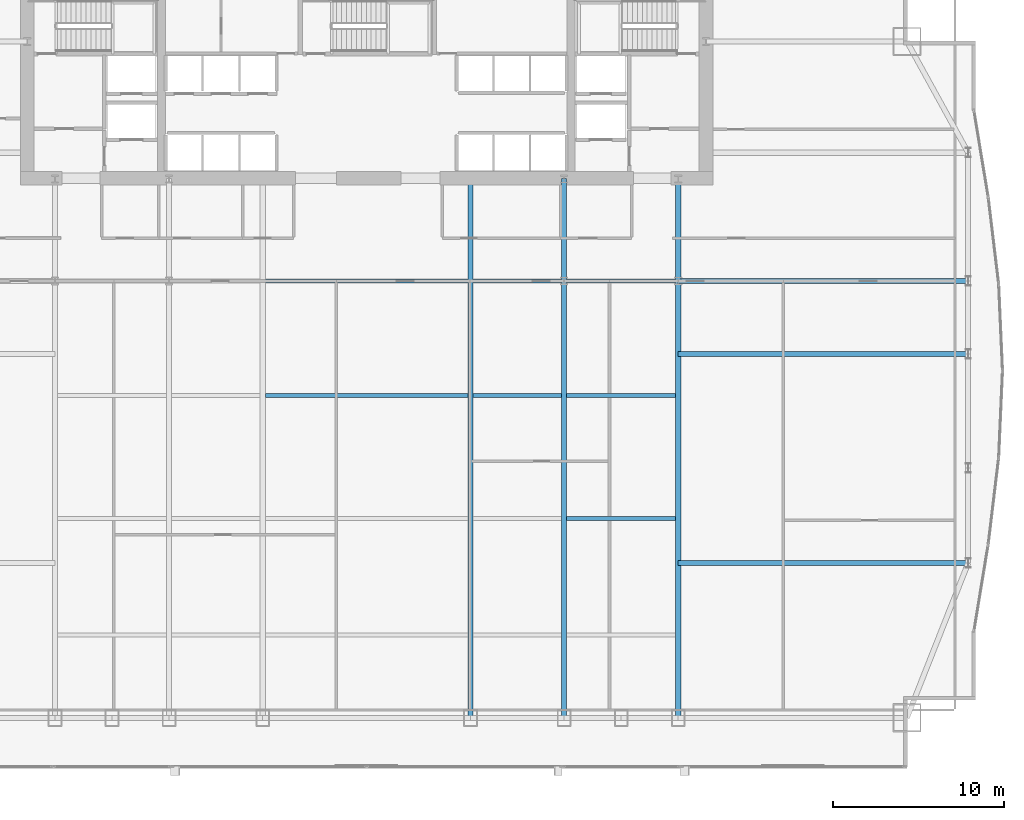
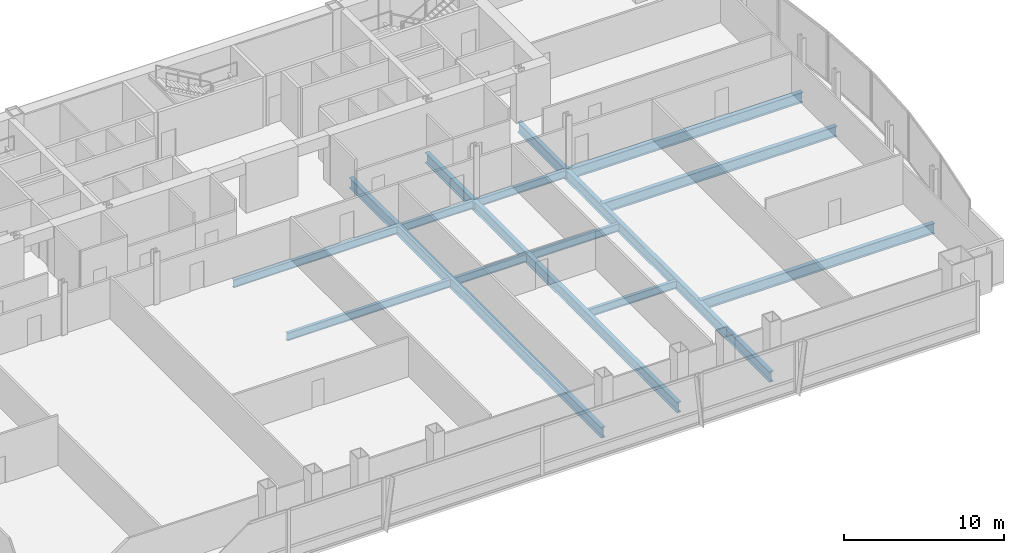
# One storey, part 15 of 32: 15 beams.
"""IFC4 building model written with IfcOpenShell, lengths in metres."""

from ifc_helpers import new_model, si_unit, direction, frame, origin, origin_2d, place, context, subcontext, project, spatial, i_section, extrude, material, material_profile, profile_set, type_object, element, save


model = new_model("IFC4")

# Units and contexts
model_context = context("Model", 3, precision=1e-05, world=origin(), true_north=direction((0.0, 1.0)))
body_context = subcontext(model_context, "Body", "Model", "MODEL_VIEW")
ifc_project = project(units=[si_unit("LENGTHUNIT", "METRE"), si_unit("AREAUNIT", "SQUARE_METRE"), si_unit("VOLUMEUNIT", "CUBIC_METRE"), si_unit("PLANEANGLEUNIT", "RADIAN"), si_unit("MASSUNIT", "GRAM", prefix="KILO")], contexts=[model_context])

# Site, building, storey
site_placement = place(None, origin())
site = spatial("IfcSite", under=ifc_project, at=site_placement, CompositionType="ELEMENT")
building_placement = place(site_placement, origin())
building = spatial("IfcBuilding", under=site, at=building_placement, Name="Khoronbel Lancet Exchange", CompositionType="ELEMENT")
storey_placement = place(building_placement, frame((0.0, 0.0, 65.800048828125)))
storey = spatial("IfcBuildingStorey", under=building, at=storey_placement, Name="L15", CompositionType="ELEMENT", Elevation=65.800048828125)

# Beams
ifc_material = material(Name="Steel S355", Category="steel")
ifc_material_profile_1 = material_profile(ifc_material, i_section(OverallWidth=0.300048828125, OverallDepth=0.800048828125, WebThickness=0.017578125, FlangeThickness=0.032958984375, at=origin_2d()), Name="HEB 800")
ifc_profile_set_1 = profile_set([ifc_material_profile_1], Name="Steel S355")
beam_type_1 = type_object("IfcBeamType", Name="BM-BG2", PredefinedType="BEAM", material=ifc_profile_set_1)
beam_1_placement = place(storey_placement, frame((42.52490234375, 10.14990234375, -0.580078125), z_axis=(0.0, 1.0, 0.0), x_axis=(-1.0, 0.0, 0.0)))
element("IfcBeam", 1, at=beam_1_placement, inside=storey, type_object=beam_type_1, Name="Level L15 primary floor girder G4", PredefinedType="BEAM", context=body_context, shape_type="SweptSolid", body=[
    extrude(i_section(OverallWidth=0.300048828125, OverallDepth=0.800048828125, WebThickness=0.017578125, FlangeThickness=0.032958984375, at=origin_2d()), origin(), (0.0, 0.0, 1.0), 31.550048828125),
])
beam_2_placement = place(storey_placement, frame((48.0, 10.14990234375, -0.580078125), z_axis=(0.0, 1.0, 0.0), x_axis=(-1.0, 0.0, 0.0)))
element("IfcBeam", 2, at=beam_2_placement, inside=storey, type_object=beam_type_1, Name="Level L15 south primary girder GS5", PredefinedType="BEAM", context=body_context, shape_type="SweptSolid", body=[
    extrude(i_section(OverallWidth=0.300048828125, OverallDepth=0.800048828125, WebThickness=0.017578125, FlangeThickness=0.032958984375, at=origin_2d()), origin(), (0.0, 0.0, 1.0), 25.550048828125),
])
beam_3_placement = place(storey_placement, frame((48.0, 35.699951171875, -0.580078125), z_axis=(0.0, 1.0, 0.0), x_axis=(-1.0, 0.0, 0.0)))
element("IfcBeam", 3, at=beam_3_placement, inside=storey, type_object=beam_type_1, Name="Level L15 spine tie girder GN5", PredefinedType="BEAM", context=body_context, shape_type="SweptSolid", body=[
    extrude(i_section(OverallWidth=0.300048828125, OverallDepth=0.800048828125, WebThickness=0.017578125, FlangeThickness=0.032958984375, at=origin_2d()), origin(), (0.0, 0.0, 1.0), 6.0),
])
beam_4_placement = place(storey_placement, frame((54.675048828125, 10.14990234375, -0.580078125), z_axis=(0.0, 1.0, 0.0), x_axis=(-1.0, 0.0, 0.0)))
element("IfcBeam", 4, at=beam_4_placement, inside=storey, type_object=beam_type_1, Name="Level L15 south primary girder GS6", PredefinedType="BEAM", context=body_context, shape_type="SweptSolid", body=[
    extrude(i_section(OverallWidth=0.300048828125, OverallDepth=0.800048828125, WebThickness=0.017578125, FlangeThickness=0.032958984375, at=origin_2d()), origin(), (0.0, 0.0, 1.0), 25.550048828125),
])
beam_5_placement = place(storey_placement, frame((54.675048828125, 35.699951171875, -0.580078125), z_axis=(0.0, 1.0, 0.0), x_axis=(-1.0, 0.0, 0.0)))
element("IfcBeam", 5, at=beam_5_placement, inside=storey, type_object=beam_type_1, Name="Level L15 spine tie girder GN6", PredefinedType="BEAM", context=body_context, shape_type="SweptSolid", body=[
    extrude(i_section(OverallWidth=0.300048828125, OverallDepth=0.800048828125, WebThickness=0.017578125, FlangeThickness=0.032958984375, at=origin_2d()), origin(), (0.0, 0.0, 1.0), 6.0),
])
for number, where, z_axis, x_axis, name in (
    (6, (54.675048828125, 19.199951171875, -0.580078125), (1.0, 0.0, 0.0), (0.0, 1.0, 0.0), "Level L15 east lens tie girder LG1E"),
    (7, (54.675048828125, 31.425048828125, -0.580078125), (1.0, 0.0, 0.0), (0.0, 1.0, 0.0), "Level L15 east lens tie girder LG2E"),
    (8, (54.675048828125, 35.699951171875, -0.580078125), (1.0, 0.0, 0.0), (0.0, 1.0, 0.0), "Level L15 east lens tie girder LG4E"),
):
    element("IfcBeam", number, at=place(storey_placement, frame(where, z_axis=z_axis, x_axis=x_axis)), inside=storey, type_object=beam_type_1, Name=name, PredefinedType="BEAM", context=body_context, shape_type="SweptSolid", body=[
        extrude(i_section(OverallWidth=0.300048828125, OverallDepth=0.800048828125, WebThickness=0.017578125, FlangeThickness=0.032958984375, at=origin_2d()), origin(), (0.0, 0.0, 1.0), 16.954833984375),
    ])
ifc_material_profile_2 = material_profile(ifc_material, i_section(OverallWidth=0.219970703125, OverallDepth=0.60009765625, WebThickness=0.011962890625, FlangeThickness=0.01904296875, at=origin_2d()), Name="IPE 600")
ifc_profile_set_2 = profile_set([ifc_material_profile_2], Name="Steel S355")
beam_type_2 = type_object("IfcBeamType", Name="BM-BJ1", PredefinedType="JOIST", material=ifc_profile_set_2)
beam_6_placement = place(storey_placement, frame((48.14990234375, 21.800048828125, -0.47998046875), z_axis=(1.0, 0.0, 0.0), x_axis=(0.0, 1.0, 0.0)))
element("IfcBeam", 9, at=beam_6_placement, inside=storey, type_object=beam_type_2, Name="Level L15 secondary composite joist J10", PredefinedType="JOIST", context=body_context, shape_type="SweptSolid", body=[
    extrude(i_section(OverallWidth=0.219970703125, OverallDepth=0.60009765625, WebThickness=0.011962890625, FlangeThickness=0.01904296875, at=origin_2d()), origin(), (0.0, 0.0, 1.0), 6.375),
])
beam_7_placement = place(storey_placement, frame((30.52490234375, 29.0, -0.47998046875), z_axis=(1.0, 0.0, 0.0), x_axis=(0.0, 1.0, 0.0)))
element("IfcBeam", 10, at=beam_7_placement, inside=storey, type_object=beam_type_2, Name="Level L15 secondary composite joist J13", PredefinedType="JOIST", context=body_context, shape_type="SweptSolid", body=[
    extrude(i_section(OverallWidth=0.219970703125, OverallDepth=0.60009765625, WebThickness=0.011962890625, FlangeThickness=0.01904296875, at=origin_2d()), origin(), (0.0, 0.0, 1.0), 11.85009765625),
])
beam_8_placement = place(storey_placement, frame((42.675048828125, 29.0, -0.47998046875), z_axis=(1.0, 0.0, 0.0), x_axis=(0.0, 1.0, 0.0)))
element("IfcBeam", 11, at=beam_8_placement, inside=storey, type_object=beam_type_2, Name="Level L15 secondary composite joist J14", PredefinedType="JOIST", context=body_context, shape_type="SweptSolid", body=[
    extrude(i_section(OverallWidth=0.219970703125, OverallDepth=0.60009765625, WebThickness=0.011962890625, FlangeThickness=0.01904296875, at=origin_2d()), origin(), (0.0, 0.0, 1.0), 5.175048828125),
])
beam_9_placement = place(storey_placement, frame((48.14990234375, 29.0, -0.47998046875), z_axis=(1.0, 0.0, 0.0), x_axis=(0.0, 1.0, 0.0)))
element("IfcBeam", 12, at=beam_9_placement, inside=storey, type_object=beam_type_2, Name="Level L15 secondary composite joist J15", PredefinedType="JOIST", context=body_context, shape_type="SweptSolid", body=[
    extrude(i_section(OverallWidth=0.219970703125, OverallDepth=0.60009765625, WebThickness=0.011962890625, FlangeThickness=0.01904296875, at=origin_2d()), origin(), (0.0, 0.0, 1.0), 6.375),
])
beam_10_placement = place(storey_placement, frame((30.52490234375, 35.699951171875, -0.47998046875), z_axis=(1.0, 0.0, 0.0), x_axis=(0.0, 1.0, 0.0)))
element("IfcBeam", 13, at=beam_10_placement, inside=storey, type_object=beam_type_2, Name="Level L15 secondary composite joist J18", PredefinedType="JOIST", context=body_context, shape_type="SweptSolid", body=[
    extrude(i_section(OverallWidth=0.219970703125, OverallDepth=0.60009765625, WebThickness=0.011962890625, FlangeThickness=0.01904296875, at=origin_2d()), origin(), (0.0, 0.0, 1.0), 11.85009765625),
])
beam_11_placement = place(storey_placement, frame((42.675048828125, 35.699951171875, -0.47998046875), z_axis=(1.0, 0.0, 0.0), x_axis=(0.0, 1.0, 0.0)))
element("IfcBeam", 14, at=beam_11_placement, inside=storey, type_object=beam_type_2, Name="Level L15 secondary composite joist J19", PredefinedType="JOIST", context=body_context, shape_type="SweptSolid", body=[
    extrude(i_section(OverallWidth=0.219970703125, OverallDepth=0.60009765625, WebThickness=0.011962890625, FlangeThickness=0.01904296875, at=origin_2d()), origin(), (0.0, 0.0, 1.0), 5.175048828125),
])
beam_12_placement = place(storey_placement, frame((48.14990234375, 35.699951171875, -0.47998046875), z_axis=(1.0, 0.0, 0.0), x_axis=(0.0, 1.0, 0.0)))
element("IfcBeam", 15, at=beam_12_placement, inside=storey, type_object=beam_type_2, Name="Level L15 secondary composite joist J20", PredefinedType="JOIST", context=body_context, shape_type="SweptSolid", body=[
    extrude(i_section(OverallWidth=0.219970703125, OverallDepth=0.60009765625, WebThickness=0.011962890625, FlangeThickness=0.01904296875, at=origin_2d()), origin(), (0.0, 0.0, 1.0), 6.375),
])

save(model, "model.ifc")
